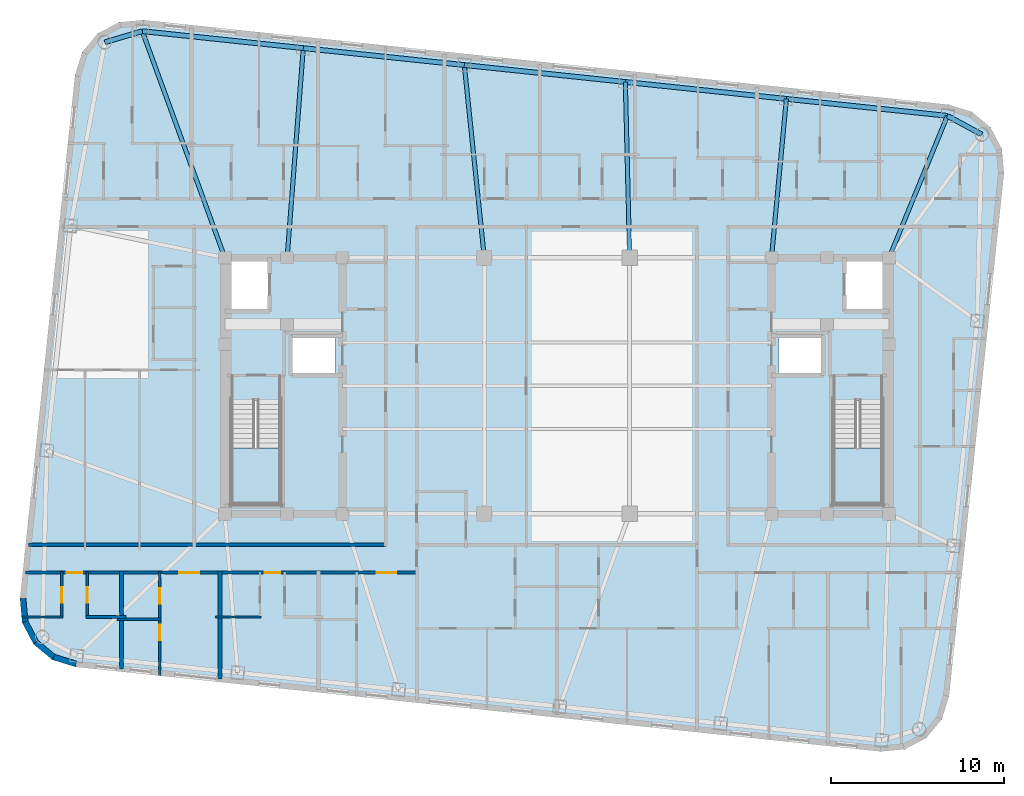
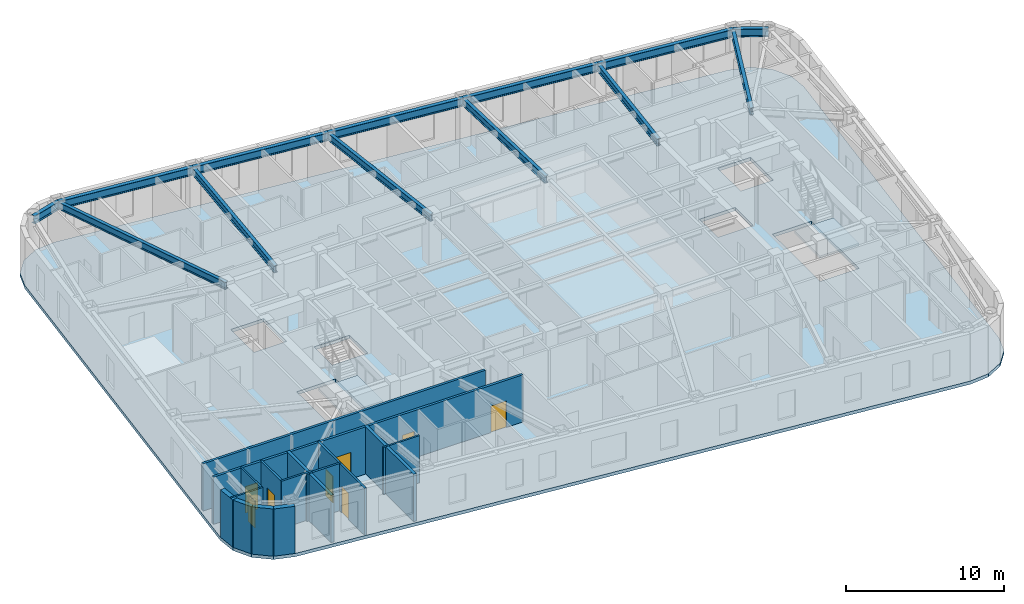
# One storey, part 2 of 11: 16 walls, 13 beams, 8 doors, 3 slabs, 8 openings, 2 elements without a shape of their own.
"""IFC4 building model written with IfcOpenShell, lengths in metres."""

from ifc_helpers import new_model, si_unit, direction, frame, frame_2d, origin, origin_2d, place, context, subcontext, project, spatial, polyline, rectangle, i_section, outline, extrude, material, layer, layer_set, material_profile, profile_set, type_object, element, fill, aggregate, save


model = new_model("IFC4")

# Units and contexts
model_context = context("Model", 3, precision=1e-05, world=origin(), true_north=direction((0.0, 1.0)))
body_context = subcontext(model_context, "Body", "Model", "MODEL_VIEW")
ifc_project = project(units=[si_unit("LENGTHUNIT", "METRE"), si_unit("AREAUNIT", "SQUARE_METRE"), si_unit("VOLUMEUNIT", "CUBIC_METRE"), si_unit("PLANEANGLEUNIT", "RADIAN"), si_unit("MASSUNIT", "GRAM", prefix="KILO")], contexts=[model_context])

# Site, building, storey
site_placement = place(None, origin())
site = spatial("IfcSite", under=ifc_project, at=site_placement, CompositionType="ELEMENT")
building_placement = place(site_placement, origin())
building = spatial("IfcBuilding", under=site, at=building_placement, Name="Voryun Gate Residences", CompositionType="ELEMENT")
storey_placement = place(building_placement, frame((0.0, 0.0, 279.5)))
storey = spatial("IfcBuildingStorey", under=building, at=storey_placement, Name="L69", CompositionType="ELEMENT", Elevation=279.5)

# Beams
ifc_material_1 = material(Name="Steel SM355", Category="steel")
ifc_material_profile_1 = material_profile(ifc_material_1, i_section(OverallWidth=0.280029296875, OverallDepth=0.6201171875, WebThickness=0.013916015625, FlangeThickness=0.02197265625, FilletRadius=0.01806640625, at=origin_2d()), Name="H-620x280x14x22")
ifc_profile_set_1 = profile_set([ifc_material_profile_1], Name="Steel SM355")
beam_type_1 = type_object("IfcBeamType", Name="BM_EXO_SPANDREL_H", PredefinedType="SPANDREL", material=ifc_profile_set_1)
beam_1_placement = place(storey_placement, frame((24.55322265625, 14.52734375, 3.340087890625), z_axis=(-0.878844363117, 0.477108567746, 0.0), x_axis=(-0.477108567746, -0.878844363117, 0.0)))
element("IfcBeam", 1, at=beam_1_placement, inside=storey, type_object=beam_type_1, Name="BM-L69-SPAND-10", PredefinedType="SPANDREL", context=body_context, shape_type="SweptSolid", body=[
    extrude(i_section(OverallWidth=0.280029296875, OverallDepth=0.6201171875, WebThickness=0.013916015625, FlangeThickness=0.02197265625, FilletRadius=0.01806640625, at=origin_2d()), origin(), (0.0, 0.0, 1.0), 2.257568359375),
])
beam_2_placement = place(storey_placement, frame((22.569091796875, 15.6044921875, 3.340087890625), z_axis=(-0.994520592114, 0.104540862157, 0.0), x_axis=(-0.104540862157, -0.994520592114, 0.0)))
element("IfcBeam", 2, at=beam_2_placement, inside=storey, type_object=beam_type_1, Name="BM-L69-SPAND-11", PredefinedType="SPANDREL", context=body_context, shape_type="SweptSolid", body=[
    extrude(i_section(OverallWidth=0.280029296875, OverallDepth=0.6201171875, WebThickness=0.013916015625, FlangeThickness=0.02197265625, FilletRadius=0.01806640625, at=origin_2d()), origin(), (0.0, 0.0, 1.0), 9.360107421875),
])
beam_3_placement = place(storey_placement, frame((13.26025390625, 16.5830078125, 3.340087890625), z_axis=(-0.994523018663, 0.104517775278, 0.0), x_axis=(-0.104517775278, -0.994523018663, 0.0)))
element("IfcBeam", 3, at=beam_3_placement, inside=storey, type_object=beam_type_1, Name="BM-L69-SPAND-12", PredefinedType="SPANDREL", context=body_context, shape_type="SweptSolid", body=[
    extrude(i_section(OverallWidth=0.280029296875, OverallDepth=0.6201171875, WebThickness=0.013916015625, FlangeThickness=0.02197265625, FilletRadius=0.01806640625, at=origin_2d()), origin(), (0.0, 0.0, 1.0), 9.35986328125),
])
for number, where, z_axis, x_axis, name in (
    (4, (3.95166015625, 17.561279296875, 3.340087890625), (-0.994520592114, 0.104540862157, 0.0), (-0.104540862157, -0.994520592114, 0.0), "BM-L69-SPAND-13"),
    (5, (-5.357177734375, 18.539794921875, 3.340087890625), (-0.994523303591, 0.104515064059, 0.0), (-0.104515064059, -0.994523303591, 0.0), "BM-L69-SPAND-14"),
):
    element("IfcBeam", number, at=place(storey_placement, frame(where, z_axis=z_axis, x_axis=x_axis)), inside=storey, type_object=beam_type_1, Name=name, PredefinedType="SPANDREL", context=body_context, shape_type="SweptSolid", body=[
        extrude(i_section(OverallWidth=0.280029296875, OverallDepth=0.6201171875, WebThickness=0.013916015625, FlangeThickness=0.02197265625, FilletRadius=0.01806640625, at=origin_2d()), origin(), (0.0, 0.0, 1.0), 9.360107421875),
    ])
beam_4_placement = place(storey_placement, frame((-14.666015625, 19.51806640625, 3.340087890625), z_axis=(-0.994520307047, 0.104543574031, 0.0), x_axis=(-0.104543574031, -0.994520307047, 0.0)))
element("IfcBeam", 6, at=beam_4_placement, inside=storey, type_object=beam_type_1, Name="BM-L69-SPAND-15", PredefinedType="SPANDREL", context=body_context, shape_type="SweptSolid", body=[
    extrude(i_section(OverallWidth=0.280029296875, OverallDepth=0.6201171875, WebThickness=0.013916015625, FlangeThickness=0.02197265625, FilletRadius=0.01806640625, at=origin_2d()), origin(), (0.0, 0.0, 1.0), 9.35986328125),
])
beam_5_placement = place(storey_placement, frame((-23.974609375, 20.49658203125, 3.340087890625), z_axis=(-0.958805748412, -0.28406255792, 0.0), x_axis=(0.28406255792, -0.958805748412, 0.0)))
element("IfcBeam", 7, at=beam_5_placement, inside=storey, type_object=beam_type_1, Name="BM-L69-SPAND-16", PredefinedType="SPANDREL", context=body_context, shape_type="SweptSolid", body=[
    extrude(i_section(OverallWidth=0.280029296875, OverallDepth=0.6201171875, WebThickness=0.013916015625, FlangeThickness=0.02197265625, FilletRadius=0.01806640625, at=origin_2d()), origin(), (0.0, 0.0, 1.0), 2.2578125),
])
ifc_material_2 = material(Name="Steel SM355", Category="steel")
ifc_material_profile_2 = material_profile(ifc_material_2, i_section(OverallWidth=0.239990234375, OverallDepth=0.550048828125, WebThickness=0.011962890625, FlangeThickness=0.02001953125, FilletRadius=0.01806640625, at=origin_2d()), Name="H-550x240x12x20")
ifc_profile_set_2 = profile_set([ifc_material_profile_2], Name="Steel SM355")
beam_type_2 = type_object("IfcBeamType", Name="BM_GIRD_550", PredefinedType="USERDEFINED", material=ifc_profile_set_2)
beam_6_placement = place(storey_placement, frame((19.199951171875, 7.39990234375, 3.375), z_axis=(0.379860811741, 0.925043655026, 0.0), x_axis=(-0.925043655026, 0.379860811741, 0.0)))
element("IfcBeam", 8, at=beam_6_placement, inside=storey, type_object=beam_type_2, Name="BM-L69-RAD-N1", ObjectType="GIRDER", PredefinedType="USERDEFINED", context=body_context, shape_type="SweptSolid", body=[
    extrude(i_section(OverallWidth=0.239990234375, OverallDepth=0.550048828125, WebThickness=0.011962890625, FlangeThickness=0.02001953125, FilletRadius=0.01806640625, at=origin_2d()), origin(), (0.0, 0.0, 1.0), 8.869384765625),
])
beam_7_placement = place(storey_placement, frame((12.39990234375, 7.39990234375, 3.375), z_axis=(0.093280030115, 0.995639912811, 0.0), x_axis=(-0.995639912811, 0.093280030115, 0.0)))
element("IfcBeam", 9, at=beam_7_placement, inside=storey, type_object=beam_type_2, Name="BM-L69-RAD-N2", ObjectType="GIRDER", PredefinedType="USERDEFINED", context=body_context, shape_type="SweptSolid", body=[
    extrude(i_section(OverallWidth=0.239990234375, OverallDepth=0.550048828125, WebThickness=0.011962890625, FlangeThickness=0.02001953125, FilletRadius=0.01806640625, at=origin_2d()), origin(), (0.0, 0.0, 1.0), 9.223388671875),
])
beam_8_placement = place(storey_placement, frame((4.199951171875, 7.39990234375, 3.375), z_axis=(-0.024427489288, 0.999701604364, 0.0), x_axis=(-0.999701604364, -0.024427489288, 0.0)))
element("IfcBeam", 10, at=beam_8_placement, inside=storey, type_object=beam_type_2, Name="BM-L69-RAD-N3", ObjectType="GIRDER", PredefinedType="USERDEFINED", context=body_context, shape_type="SweptSolid", body=[
    extrude(i_section(OverallWidth=0.239990234375, OverallDepth=0.550048828125, WebThickness=0.011962890625, FlangeThickness=0.02001953125, FilletRadius=0.01806640625, at=origin_2d()), origin(), (0.0, 0.0, 1.0), 10.164306640625),
])
beam_9_placement = place(storey_placement, frame((-4.199951171875, 7.39990234375, 3.375), z_axis=(-0.103325291149, 0.994647618109, 0.0), x_axis=(-0.994647618109, -0.103325291149, 0.0)))
element("IfcBeam", 11, at=beam_9_placement, inside=storey, type_object=beam_type_2, Name="BM-L69-RAD-N4", ObjectType="GIRDER", PredefinedType="USERDEFINED", context=body_context, shape_type="SweptSolid", body=[
    extrude(i_section(OverallWidth=0.239990234375, OverallDepth=0.550048828125, WebThickness=0.011962890625, FlangeThickness=0.02001953125, FilletRadius=0.01806640625, at=origin_2d()), origin(), (0.0, 0.0, 1.0), 11.199951171875),
])
beam_10_placement = place(storey_placement, frame((-15.60009765625, 7.39990234375, 3.375), z_axis=(0.07685317718, 0.997042420942, 0.0), x_axis=(-0.997042420942, 0.07685317718, 0.0)))
element("IfcBeam", 12, at=beam_10_placement, inside=storey, type_object=beam_type_2, Name="BM-L69-RAD-N5", ObjectType="GIRDER", PredefinedType="USERDEFINED", context=body_context, shape_type="SweptSolid", body=[
    extrude(i_section(OverallWidth=0.239990234375, OverallDepth=0.550048828125, WebThickness=0.011962890625, FlangeThickness=0.02001953125, FilletRadius=0.01806640625, at=origin_2d()), origin(), (0.0, 0.0, 1.0), 12.154052734375),
])
beam_11_placement = place(storey_placement, frame((-19.199951171875, 7.39990234375, 3.375), z_axis=(-0.342517773666, 0.939511348906, 0.0), x_axis=(-0.939511348906, -0.342517773666, 0.0)))
element("IfcBeam", 13, at=beam_11_placement, inside=storey, type_object=beam_type_2, Name="BM-L69-RAD-N6", ObjectType="GIRDER", PredefinedType="USERDEFINED", context=body_context, shape_type="SweptSolid", body=[
    extrude(i_section(OverallWidth=0.239990234375, OverallDepth=0.550048828125, WebThickness=0.011962890625, FlangeThickness=0.02001953125, FilletRadius=0.01806640625, at=origin_2d()), origin(), (0.0, 0.0, 1.0), 13.93994140625),
])

# Slab
ifc_material_3 = material(Name="Concrete C40/50", Category="concrete")
ifc_layer_1 = layer(ifc_material_3, 0.25, Name="SLB_RES_250")
ifc_layer_set_1 = layer_set([ifc_layer_1], Name="Concrete C40/50")
slab_type_1 = type_object("IfcSlabType", Name="SLB_RES_250", PredefinedType="FLOOR", material=ifc_layer_set_1)
slab_1_placement = place(storey_placement, frame((0.0, 0.0, -0.25)))
element("IfcSlab", 14, at=slab_1_placement, inside=storey, type_object=slab_type_1, Name="L69 Structural Floor Slab", PredefinedType="FLOOR", context=body_context, shape_type="SweptSolid", body=[
    extrude(outline(polyline([(-27.8369140625, -16.2509765625), (-29.178466796875, -15.83447265625), (-30.25830078125, -14.936279296875), (-30.912353515625, -13.693115234375), (-31.041015625, -12.29443359375), (-27.86328125, 17.93896484375), (-27.44677734375, 19.280517578125), (-26.548583984375, 20.3603515625), (-25.305419921875, 21.014404296875), (-23.90673828125, 21.14306640625), (22.636962890625, 16.2509765625), (23.978515625, 15.83447265625), (25.058349609375, 14.936279296875), (25.71240234375, 13.693115234375), (25.8408203125, 12.29443359375), (22.663330078125, -17.93896484375), (22.246826171875, -19.280517578125), (21.3486328125, -20.3603515625), (20.10546875, -21.014404296875), (18.706787109375, -21.14306640625), (-27.8369140625, -16.2509765625)]), holes=[polyline([(-15.97509765625, -0.840087890625), (-18.824951171875, -0.840087890625), (-18.824951171875, -6.85009765625), (-15.97509765625, -6.85009765625), (-15.97509765625, -0.840087890625)]), polyline([(18.824951171875, -6.85009765625), (18.824951171875, -0.840087890625), (15.97509765625, -0.840087890625), (15.97509765625, -6.85009765625), (18.824951171875, -6.85009765625)]), polyline([(-12.800048828125, 2.89990234375), (-15.39990234375, 2.89990234375), (-15.39990234375, 0.60009765625), (-12.800048828125, 0.60009765625), (-12.800048828125, 2.89990234375)]), polyline([(12.800048828125, 2.89990234375), (12.800048828125, 0.60009765625), (15.39990234375, 0.60009765625), (15.39990234375, 2.89990234375), (12.800048828125, 2.89990234375)]), polyline([(-16.60009765625, 7.199951171875), (-19.0, 7.199951171875), (-19.0, 4.300048828125), (-16.60009765625, 4.300048828125), (-16.60009765625, 7.199951171875)]), polyline([(19.0, 7.199951171875), (16.60009765625, 7.199951171875), (16.60009765625, 4.300048828125), (19.0, 4.300048828125), (19.0, 7.199951171875)])]), origin(), (0.0, 0.0, 1.0), 0.25),
])

# Stair, slab
ifc_material_4 = material(Name="Concrete C40/50", Category="concrete")
stair_type = type_object("IfcStairType", Name="STR_CORE_DOGLEG_1350", PredefinedType="HALF_TURN_STAIR", material=ifc_material_4)
stair_1_placement = place(storey_placement, origin())
stair_1 = element("IfcStair", 15, at=stair_1_placement, inside=storey, type_object=stair_type, Name="L69 Special Escape Stair ST-W1", PredefinedType="HALF_TURN_STAIR")
ifc_material_5 = material(Name="Concrete C40/50", Category="concrete")
ifc_layer_2 = layer(ifc_material_5, 0.199951171875, Name="SLB_STAIR_LANDING_200")
ifc_layer_set_2 = layer_set([ifc_layer_2], Name="Concrete C40/50")
slab_type_2 = type_object("IfcSlabType", Name="SLB_STAIR_LANDING_200", PredefinedType="LANDING", material=ifc_layer_set_2)
slab_2_placement = place(storey_placement, frame((0.0, 0.0, 1.75)))
slab_2 = element("IfcSlab", 16, at=slab_2_placement, type_object=slab_type_2, Name="ST-W1 landing 1", PredefinedType="LANDING", context=body_context, shape_type="SweptSolid", body=[
    extrude(outline(polyline([(-18.824951171875, -3.60009765625), (-18.824951171875, -6.85009765625), (-15.97509765625, -6.85009765625), (-15.97509765625, -3.60009765625), (-18.824951171875, -3.60009765625)])), origin(), (0.0, 0.0, 1.0), 0.199951171875),
])
aggregate(stair_1, [slab_2])

stair_2_placement = place(storey_placement, origin())
stair_2 = element("IfcStair", 17, at=stair_2_placement, inside=storey, type_object=stair_type, Name="L69 Special Escape Stair ST-E1", PredefinedType="HALF_TURN_STAIR")
slab_3_placement = place(storey_placement, frame((0.0, 0.0, 1.75)))
slab_3 = element("IfcSlab", 18, at=slab_3_placement, type_object=slab_type_2, Name="ST-E1 landing 1", PredefinedType="LANDING", context=body_context, shape_type="SweptSolid", body=[
    extrude(outline(polyline([(15.97509765625, -3.60009765625), (15.97509765625, -6.85009765625), (18.824951171875, -6.85009765625), (18.824951171875, -3.60009765625), (15.97509765625, -3.60009765625)])), origin(), (0.0, 0.0, 1.0), 0.199951171875),
])
aggregate(stair_2, [slab_3])

# Wall
ifc_material_6 = material(Name="Gypsum acoustic fireboard")
ifc_layer_3 = layer(ifc_material_6, 0.179931640625, Name="W_CORR_RATED_180")
ifc_layer_set_3 = layer_set([ifc_layer_3], Name="Gypsum acoustic fireboard")
wall_type_1 = type_object("IfcWallType", Name="W_CORR_RATED_180", PredefinedType="PARTITIONING", material=ifc_layer_set_3)
wall_1_placement = place(storey_placement, frame((-30.543701171875, -9.18994140625, 0.0), z_axis=(0.0, 0.0, 1.0), x_axis=(1.0, 0.0, 0.0)))
element("IfcWall", 19, at=wall_1_placement, inside=storey, type_object=wall_type_1, Name="Partition wall WP-L69-CWING-WS", PredefinedType="PARTITIONING", context=body_context, shape_type="SweptSolid", body=[
    extrude(rectangle(XDim=20.663818359375, YDim=0.179931640625, at=frame_2d((10.33203125, 0.0))), origin(), (0.0, 0.0, 1.0), 3.64990234375),
])

# Wall, openings, doors
wall_2_placement = place(storey_placement, frame((-30.712890625, -10.800048828125, 0.0), z_axis=(0.0, 0.0, 1.0), x_axis=(1.0, 0.0, 0.0)))
wall_2 = element("IfcWall", 20, at=wall_2_placement, inside=storey, type_object=wall_type_1, Name="Partition wall WP-L69-SCORR-W", PredefinedType="PARTITIONING", context=body_context, shape_type="SweptSolid", body=[
    extrude(rectangle(XDim=22.6328125, YDim=0.179931640625, at=frame_2d((11.31640625, 0.0))), origin(), (0.0, 0.0, 1.0), 3.64990234375),
])
opening_1_placement = place(wall_2_placement, frame((2.372314453125, 0.0, 0.0)))
opening_1 = element("IfcOpeningElement", 21, at=opening_1_placement, cuts=wall_2, Name="Opening D-INT-2", PredefinedType="OPENING", context=body_context, shape_type="SweptSolid", body=[
    extrude(rectangle(XDim=0.89990234375, YDim=2.050048828125, at=frame_2d((0.449951171875, 1.02490234375))), frame((0.0, 0.099853515625, 0.0), z_axis=(0.0, -1.0, 0.0), x_axis=(1.0, 0.0, 0.0)), (0.0, 0.0, 1.0), 0.199951171875),
])
opening_2_placement = place(wall_2_placement, frame((8.885498046875, 0.0, 0.0)))
opening_2 = element("IfcOpeningElement", 22, at=opening_2_placement, cuts=wall_2, Name="Opening D-UNIT-1", PredefinedType="OPENING", context=body_context, shape_type="SweptSolid", body=[
    extrude(rectangle(XDim=1.14990234375, YDim=2.050048828125, at=frame_2d((0.574951171875, 1.02490234375))), frame((0.0, 0.099853515625, 0.0), z_axis=(0.0, -1.0, 0.0), x_axis=(1.0, 0.0, 0.0)), (0.0, 0.0, 1.0), 0.199951171875),
])
opening_3_placement = place(wall_2_placement, frame((13.81103515625, 0.0, 0.0)))
opening_3 = element("IfcOpeningElement", 23, at=opening_3_placement, cuts=wall_2, Name="Opening D-INT-2", PredefinedType="OPENING", context=body_context, shape_type="SweptSolid", body=[
    extrude(rectangle(XDim=0.89990234375, YDim=2.050048828125, at=frame_2d((0.449951171875, 1.02490234375))), frame((0.0, 0.099853515625, 0.0), z_axis=(0.0, -1.0, 0.0), x_axis=(1.0, 0.0, 0.0)), (0.0, 0.0, 1.0), 0.199951171875),
])
opening_4_placement = place(wall_2_placement, frame((20.283447265625, 0.0, 0.0)))
opening_4 = element("IfcOpeningElement", 24, at=opening_4_placement, cuts=wall_2, Name="Opening D-UNIT-1", PredefinedType="OPENING", context=body_context, shape_type="SweptSolid", body=[
    extrude(rectangle(XDim=1.14990234375, YDim=2.050048828125, at=frame_2d((0.574951171875, 1.02490234375))), frame((0.0, 0.099853515625, 0.0), z_axis=(0.0, -1.0, 0.0), x_axis=(1.0, 0.0, 0.0)), (0.0, 0.0, 1.0), 0.199951171875),
])
ifc_material_7 = material(Name="Architectural oak veneer")
door_type_1 = type_object("IfcDoorType", Name="DR_INT_BATH_900", OperationType="NOTDEFINED", PredefinedType="DOOR", material=ifc_material_7)
door_1_placement = place(opening_1_placement, origin())
door_1 = element("IfcDoor", 25, at=door_1_placement, inside=storey, type_object=door_type_1, Name="Door DR-L69-SENT-1", OperationType="SINGLE_SWING_RIGHT", OverallHeight=2.050048828125, OverallWidth=0.89990234375, PredefinedType="DOOR", context=body_context, shape_type="SweptSolid", body=[
    extrude(rectangle(XDim=0.89990234375, YDim=2.050048828125, at=frame_2d((0.449951171875, 1.02490234375))), frame((0.0, 0.02490234375, 0.0), z_axis=(0.0, -1.0, 0.0), x_axis=(1.0, 0.0, 0.0)), (0.0, 0.0, 1.0), 0.050048828125),
])
fill(opening_1, door_1)
door_2_placement = place(opening_3_placement, origin())
door_2 = element("IfcDoor", 26, at=door_2_placement, inside=storey, type_object=door_type_1, Name="Door DR-L69-SENT-3", OperationType="SINGLE_SWING_RIGHT", OverallHeight=2.050048828125, OverallWidth=0.89990234375, PredefinedType="DOOR", context=body_context, shape_type="SweptSolid", body=[
    extrude(rectangle(XDim=0.89990234375, YDim=2.050048828125, at=frame_2d((0.449951171875, 1.02490234375))), frame((0.0, 0.02490234375, 0.0), z_axis=(0.0, -1.0, 0.0), x_axis=(1.0, 0.0, 0.0)), (0.0, 0.0, 1.0), 0.050048828125),
])
fill(opening_3, door_2)
ifc_material_8 = material(Name="Armoured timber-clad fire door", Category="wood")
door_type_2 = type_object("IfcDoorType", Name="DR_UNIT_ENTRY_1150", OperationType="NOTDEFINED", PredefinedType="DOOR", material=ifc_material_8)
door_3_placement = place(opening_2_placement, origin())
door_3 = element("IfcDoor", 27, at=door_3_placement, inside=storey, type_object=door_type_2, Name="Door DR-L69-SENT-2", OperationType="SINGLE_SWING_LEFT", OverallHeight=2.050048828125, OverallWidth=1.14990234375, PredefinedType="DOOR", context=body_context, shape_type="SweptSolid", body=[
    extrude(rectangle(XDim=1.14990234375, YDim=2.050048828125, at=frame_2d((0.574951171875, 1.02490234375))), frame((0.0, 0.02490234375, 0.0), z_axis=(0.0, -1.0, 0.0), x_axis=(1.0, 0.0, 0.0)), (0.0, 0.0, 1.0), 0.050048828125),
])
fill(opening_2, door_3)
door_4_placement = place(opening_4_placement, origin())
door_4 = element("IfcDoor", 28, at=door_4_placement, inside=storey, type_object=door_type_2, Name="Door DR-L69-SENT-4", OperationType="SINGLE_SWING_LEFT", OverallHeight=2.050048828125, OverallWidth=1.14990234375, PredefinedType="DOOR", context=body_context, shape_type="SweptSolid", body=[
    extrude(rectangle(XDim=1.14990234375, YDim=2.050048828125, at=frame_2d((0.574951171875, 1.02490234375))), frame((0.0, 0.02490234375, 0.0), z_axis=(0.0, -1.0, 0.0), x_axis=(1.0, 0.0, 0.0)), (0.0, 0.0, 1.0), 0.050048828125),
])
fill(opening_4, door_4)

# Walls
ifc_material_9 = material(Name="Charcoal terracotta masonry", Category="masonry")
ifc_layer_4 = layer(ifc_material_9, 0.340087890625, Name="W_EXT_TERRACOTTA_340")
ifc_layer_set_4 = layer_set([ifc_layer_4], Name="Charcoal terracotta masonry")
wall_type_2 = type_object("IfcWallType", Name="W_EXT_TERRACOTTA_340", PredefinedType="ELEMENTEDWALL", material=ifc_layer_set_4)
wall_3_placement = place(storey_placement, frame((-27.802490234375, -16.083740234375, 0.0), z_axis=(0.0, 0.0, 1.0), x_axis=(-0.955007802701, 0.296580674994, 0.0)))
element("IfcWall", 29, at=wall_3_placement, inside=storey, type_object=wall_type_2, Name="Exterior wall WEXT-L69-02", PredefinedType="ELEMENTEDWALL", context=body_context, shape_type="SweptSolid", body=[
    extrude(rectangle(XDim=1.354248046875, YDim=0.340087890625, at=frame_2d((0.67724609375, 0.0))), origin(), (0.0, 0.0, 1.0), 3.64990234375),
])
wall_4_placement = place(storey_placement, frame((-29.095703125, -15.68212890625, 0.0), z_axis=(0.0, 0.0, 1.0), x_axis=(-0.768864427906, 0.639411832469, 0.0)))
element("IfcWall", 30, at=wall_4_placement, inside=storey, type_object=wall_type_2, Name="Exterior wall WEXT-L69-03", PredefinedType="ELEMENTEDWALL", context=body_context, shape_type="SweptSolid", body=[
    extrude(rectangle(XDim=1.337158203125, YDim=0.340087890625, at=frame_2d((0.66845703125, 0.0))), origin(), (0.0, 0.0, 1.0), 3.64990234375),
])
wall_5_placement = place(storey_placement, frame((-30.123779296875, -14.8271484375, 0.0), z_axis=(0.0, 0.0, 1.0), x_axis=(-0.465528132217, 0.885033083062, 0.0)))
element("IfcWall", 31, at=wall_5_placement, inside=storey, type_object=wall_type_2, Name="Exterior wall WEXT-L69-04", PredefinedType="ELEMENTEDWALL", context=body_context, shape_type="SweptSolid", body=[
    extrude(rectangle(XDim=1.3369140625, YDim=0.340087890625, at=frame_2d((0.66845703125, 0.0))), origin(), (0.0, 0.0, 1.0), 3.64990234375),
])
wall_6_placement = place(storey_placement, frame((-30.74609375, -13.64404296875, 0.0), z_axis=(0.0, 0.0, 1.0), x_axis=(-0.091592370975, 0.995796584438, 0.0)))
element("IfcWall", 32, at=wall_6_placement, inside=storey, type_object=wall_type_2, Name="Exterior wall WEXT-L69-05", PredefinedType="ELEMENTEDWALL", context=body_context, shape_type="SweptSolid", body=[
    extrude(rectangle(XDim=1.35400390625, YDim=0.340087890625, at=frame_2d((0.677001953125, 0.0))), origin(), (0.0, 0.0, 1.0), 3.64990234375),
])
ifc_material_10 = material(Name="Concrete C40/50", Category="concrete")
ifc_layer_5 = layer(ifc_material_10, 0.219970703125, Name="W_PARTY_ACOUSTIC_220")
ifc_layer_set_5 = layer_set([ifc_layer_5], Name="Concrete C40/50")
wall_type_3 = type_object("IfcWallType", Name="W_PARTY_ACOUSTIC_220", PredefinedType="PARTITIONING", material=ifc_layer_set_5)
wall_7_placement = place(storey_placement, frame((-25.177978515625, -16.359619140625, 0.0), z_axis=(0.0, 0.0, 1.0), x_axis=(0.0, 1.0, 0.0)))
element("IfcWall", 33, at=wall_7_placement, inside=storey, type_object=wall_type_3, Name="Partition wall WP-L69-SPTY-1", PredefinedType="PARTITIONING", context=body_context, shape_type="SweptSolid", body=[
    extrude(rectangle(XDim=5.6396484375, YDim=0.219970703125, at=frame_2d((2.81982421875, 0.0))), origin(), (0.0, 0.0, 1.0), 3.64990234375),
])
wall_8_placement = place(storey_placement, frame((-19.47802734375, -16.958740234375, 0.0), z_axis=(0.0, 0.0, 1.0), x_axis=(0.0, 1.0, 0.0)))
element("IfcWall", 34, at=wall_8_placement, inside=storey, type_object=wall_type_3, Name="Partition wall WP-L69-SPTY-2", PredefinedType="PARTITIONING", context=body_context, shape_type="SweptSolid", body=[
    extrude(rectangle(XDim=6.23876953125, YDim=0.219970703125, at=frame_2d((3.119384765625, 0.0))), origin(), (0.0, 0.0, 1.0), 3.64990234375),
])

# Wall, opening, door
ifc_material_11 = material(Name="Gypsum acoustic partition")
ifc_layer_6 = layer(ifc_material_11, 0.125, Name="W_UNIT_PART_125")
ifc_layer_set_6 = layer_set([ifc_layer_6], Name="Gypsum acoustic partition")
wall_type_4 = type_object("IfcWallType", Name="W_UNIT_PART_125", PredefinedType="PARTITIONING", material=ifc_layer_set_6)
wall_9_placement = place(storey_placement, frame((-28.626953125, -13.429931640625, 0.0), z_axis=(0.0, 0.0, 1.0), x_axis=(0.0, 1.0, 0.0)))
wall_9 = element("IfcWall", 35, at=wall_9_placement, inside=storey, type_object=wall_type_4, Name="Partition wall WP-L69-S1-CVK", PredefinedType="PARTITIONING", context=body_context, shape_type="SweptSolid", body=[
    extrude(rectangle(XDim=2.64990234375, YDim=0.125, at=frame_2d((1.324951171875, 0.0))), origin(), (0.0, 0.0, 1.0), 3.64990234375),
])
opening_5_placement = place(wall_9_placement, frame((0.875, 0.0, 0.0)))
opening_5 = element("IfcOpeningElement", 36, at=opening_5_placement, cuts=wall_9, Name="Opening D-INT-2", PredefinedType="OPENING", context=body_context, shape_type="SweptSolid", body=[
    extrude(rectangle(XDim=0.89990234375, YDim=2.050048828125, at=frame_2d((0.449951171875, 1.02490234375))), frame((0.0, 0.072509765625, 0.0), z_axis=(0.0, -1.0, 0.0), x_axis=(1.0, 0.0, 0.0)), (0.0, 0.0, 1.0), 0.14501953125),
])
door_5_placement = place(opening_5_placement, origin())
door_5 = element("IfcDoor", 37, at=door_5_placement, inside=storey, type_object=door_type_1, Name="Door DR-L69-S1-DK", OperationType="SINGLE_SWING_LEFT", OverallHeight=2.050048828125, OverallWidth=0.89990234375, PredefinedType="DOOR", context=body_context, shape_type="SweptSolid", body=[
    extrude(rectangle(XDim=0.89990234375, YDim=2.050048828125, at=frame_2d((0.449951171875, 1.02490234375))), frame((0.0, 0.02490234375, 0.0), z_axis=(0.0, -1.0, 0.0), x_axis=(1.0, 0.0, 0.0)), (0.0, 0.0, 1.0), 0.050048828125),
])
fill(opening_5, door_5)

# Walls
wall_10_placement = place(storey_placement, frame((-30.922119140625, -13.3701171875, 0.0), z_axis=(0.0, 0.0, 1.0), x_axis=(1.0, 0.0, 0.0)))
element("IfcWall", 38, at=wall_10_placement, inside=storey, type_object=wall_type_4, Name="Partition wall WP-L69-S1-CHK", PredefinedType="PARTITIONING", context=body_context, shape_type="SweptSolid", body=[
    extrude(rectangle(XDim=2.355224609375, YDim=0.125, at=frame_2d((1.177734375, 0.0))), origin(), (0.0, 0.0, 1.0), 3.64990234375),
])
wall_11_placement = place(storey_placement, frame((-19.738037109375, -13.3701171875, 0.0), z_axis=(0.0, 0.0, 1.0), x_axis=(1.0, 0.0, 0.0)))
element("IfcWall", 39, at=wall_11_placement, inside=storey, type_object=wall_type_4, Name="Partition wall WP-L69-S3-CHK", PredefinedType="PARTITIONING", context=body_context, shape_type="SweptSolid", body=[
    extrude(rectangle(XDim=2.630126953125, YDim=0.125, at=frame_2d((1.31494140625, 0.0))), origin(), (0.0, 0.0, 1.0), 3.64990234375),
])

# Wall, opening, door
ifc_material_12 = material(Name="Gypsum moisture-resistant partition")
ifc_layer_7 = layer(ifc_material_12, 0.14990234375, Name="W_WET_PLUMB_150")
ifc_layer_set_7 = layer_set([ifc_layer_7], Name="Gypsum moisture-resistant partition")
wall_type_5 = type_object("IfcWallType", Name="W_WET_PLUMB_150", PredefinedType="PLUMBINGWALL", material=ifc_layer_set_7)
wall_12_placement = place(storey_placement, frame((-27.155029296875, -13.429931640625, 0.0), z_axis=(0.0, 0.0, 1.0), x_axis=(0.0, 1.0, 0.0)))
wall_12 = element("IfcWall", 40, at=wall_12_placement, inside=storey, type_object=wall_type_5, Name="Partition wall WP-L69-S1-CVB", PredefinedType="PLUMBINGWALL", context=body_context, shape_type="SweptSolid", body=[
    extrude(rectangle(XDim=2.64990234375, YDim=0.14990234375, at=frame_2d((1.324951171875, 0.0))), origin(), (0.0, 0.0, 1.0), 3.64990234375),
])
opening_6_placement = place(wall_12_placement, frame((0.875, 0.0, 0.0)))
opening_6 = element("IfcOpeningElement", 41, at=opening_6_placement, cuts=wall_12, Name="Opening D-INT-2", PredefinedType="OPENING", context=body_context, shape_type="SweptSolid", body=[
    extrude(rectangle(XDim=0.89990234375, YDim=2.050048828125, at=frame_2d((0.449951171875, 1.02490234375))), frame((0.0, 0.0849609375, 0.0), z_axis=(0.0, -1.0, 0.0), x_axis=(1.0, 0.0, 0.0)), (0.0, 0.0, 1.0), 0.169921875),
])
door_6_placement = place(opening_6_placement, origin())
door_6 = element("IfcDoor", 42, at=door_6_placement, inside=storey, type_object=door_type_1, Name="Door DR-L69-S1-DB", OperationType="SINGLE_SWING_RIGHT", OverallHeight=2.050048828125, OverallWidth=0.89990234375, PredefinedType="DOOR", context=body_context, shape_type="SweptSolid", body=[
    extrude(rectangle(XDim=0.89990234375, YDim=2.050048828125, at=frame_2d((0.449951171875, 1.02490234375))), frame((0.0, 0.02490234375, 0.0), z_axis=(0.0, -1.0, 0.0), x_axis=(1.0, 0.0, 0.0)), (0.0, 0.0, 1.0), 0.050048828125),
])
fill(opening_6, door_6)

# Walls
wall_13_placement = place(storey_placement, frame((-27.215087890625, -13.3701171875, 0.0), z_axis=(0.0, 0.0, 1.0), x_axis=(1.0, 0.0, 0.0)))
element("IfcWall", 43, at=wall_13_placement, inside=storey, type_object=wall_type_5, Name="Partition wall WP-L69-S1-CHB", PredefinedType="PLUMBINGWALL", context=body_context, shape_type="SweptSolid", body=[
    extrude(rectangle(XDim=2.297119140625, YDim=0.14990234375, at=frame_2d((1.1484375, 0.0))), origin(), (0.0, 0.0, 1.0), 3.64990234375),
])
wall_14_placement = place(storey_placement, frame((-25.43798828125, -13.5, 0.0), z_axis=(0.0, 0.0, 1.0), x_axis=(1.0, 0.0, 0.0)))
element("IfcWall", 44, at=wall_14_placement, inside=storey, type_object=wall_type_5, Name="Partition wall WP-L69-S2-SKB", PredefinedType="PLUMBINGWALL", context=body_context, shape_type="SweptSolid", body=[
    extrude(rectangle(XDim=2.550048828125, YDim=0.14990234375, at=frame_2d((1.27490234375, 0.0))), origin(), (0.0, 0.0, 1.0), 3.64990234375),
])

# Wall, opening, door
wall_15_placement = place(storey_placement, frame((-22.968017578125, -16.74267578125, 0.0), z_axis=(0.0, 0.0, 1.0), x_axis=(0.0, 1.0, 0.0)))
wall_15 = element("IfcWall", 45, at=wall_15_placement, inside=storey, type_object=wall_type_5, Name="Partition wall WP-L69-S2-SVT1", PredefinedType="PLUMBINGWALL", context=body_context, shape_type="SweptSolid", body=[
    extrude(rectangle(XDim=3.28271484375, YDim=0.14990234375, at=frame_2d((1.641357421875, 0.0))), origin(), (0.0, 0.0, 1.0), 3.64990234375),
])
opening_7_placement = place(wall_15_placement, frame((2.021728515625, 0.0, 0.0)))
opening_7 = element("IfcOpeningElement", 46, at=opening_7_placement, cuts=wall_15, Name="Opening D-INT-2", PredefinedType="OPENING", context=body_context, shape_type="SweptSolid", body=[
    extrude(rectangle(XDim=0.89990234375, YDim=2.050048828125, at=frame_2d((0.449951171875, 1.02490234375))), frame((0.0, 0.0849609375, 0.0), z_axis=(0.0, -1.0, 0.0), x_axis=(1.0, 0.0, 0.0)), (0.0, 0.0, 1.0), 0.169921875),
])
door_7_placement = place(opening_7_placement, origin())
door_7 = element("IfcDoor", 47, at=door_7_placement, inside=storey, type_object=door_type_1, Name="Door DR-L69-S2-DK", OperationType="SINGLE_SWING_LEFT", OverallHeight=2.050048828125, OverallWidth=0.89990234375, PredefinedType="DOOR", context=body_context, shape_type="SweptSolid", body=[
    extrude(rectangle(XDim=0.89990234375, YDim=2.050048828125, at=frame_2d((0.449951171875, 1.02490234375))), frame((0.0, 0.02490234375, 0.0), z_axis=(0.0, -1.0, 0.0), x_axis=(1.0, 0.0, 0.0)), (0.0, 0.0, 1.0), 0.050048828125),
])
fill(opening_7, door_7)

wall_16_placement = place(storey_placement, frame((-22.968017578125, -13.5400390625, 0.0), z_axis=(0.0, 0.0, 1.0), x_axis=(0.0, 1.0, 0.0)))
wall_16 = element("IfcWall", 48, at=wall_16_placement, inside=storey, type_object=wall_type_5, Name="Partition wall WP-L69-S2-SVT2", PredefinedType="PLUMBINGWALL", context=body_context, shape_type="SweptSolid", body=[
    extrude(rectangle(XDim=2.760009765625, YDim=0.14990234375, at=frame_2d((1.3798828125, 0.0))), origin(), (0.0, 0.0, 1.0), 3.64990234375),
])
opening_8_placement = place(wall_16_placement, frame((0.929931640625, 0.0, 0.0)))
opening_8 = element("IfcOpeningElement", 49, at=opening_8_placement, cuts=wall_16, Name="Opening D-INT-2", PredefinedType="OPENING", context=body_context, shape_type="SweptSolid", body=[
    extrude(rectangle(XDim=0.89990234375, YDim=2.050048828125, at=frame_2d((0.449951171875, 1.02490234375))), frame((0.0, 0.0849609375, 0.0), z_axis=(0.0, -1.0, 0.0), x_axis=(1.0, 0.0, 0.0)), (0.0, 0.0, 1.0), 0.169921875),
])
door_8_placement = place(opening_8_placement, origin())
door_8 = element("IfcDoor", 50, at=door_8_placement, inside=storey, type_object=door_type_1, Name="Door DR-L69-S2-DB", OperationType="SINGLE_SWING_RIGHT", OverallHeight=2.050048828125, OverallWidth=0.89990234375, PredefinedType="DOOR", context=body_context, shape_type="SweptSolid", body=[
    extrude(rectangle(XDim=0.89990234375, YDim=2.050048828125, at=frame_2d((0.449951171875, 1.02490234375))), frame((0.0, 0.02490234375, 0.0), z_axis=(0.0, -1.0, 0.0), x_axis=(1.0, 0.0, 0.0)), (0.0, 0.0, 1.0), 0.050048828125),
])
fill(opening_8, door_8)

save(model, "model.ifc")
